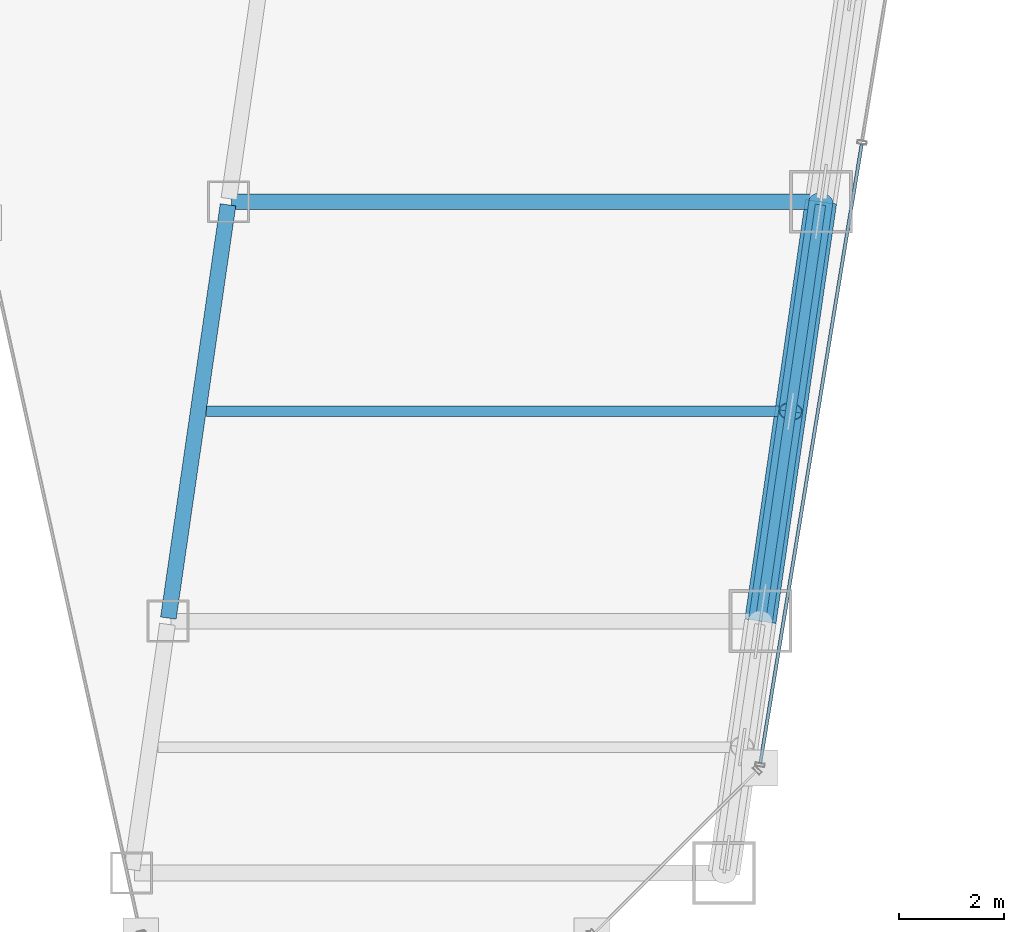
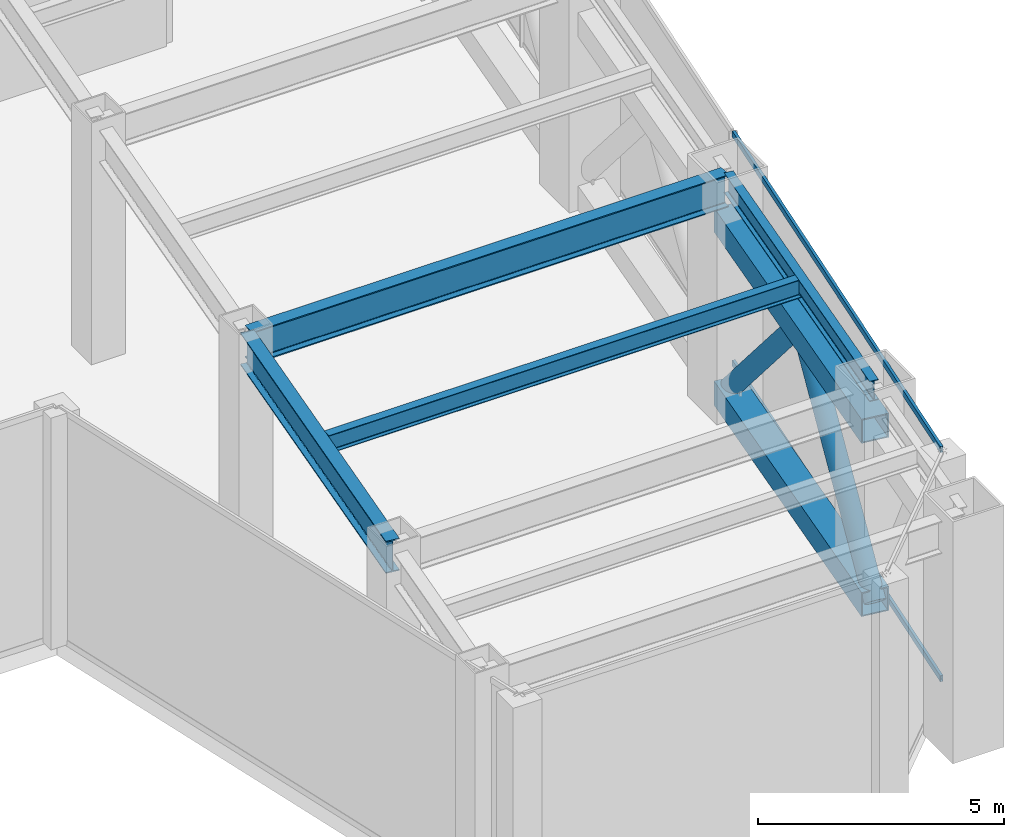
# One storey, part 14 of 35: 6 members, 4 beams, 1 element without a shape of its own.
"""IFC4 building model written with IfcOpenShell, lengths in metres."""

from ifc_helpers import new_model, si_unit, direction, frame, origin, origin_2d, place, context, subcontext, project, spatial, hollow_rectangle, hollow_circle, i_section, extrude, material, material_profile, profile_set, type_object, element, aggregate, save


model = new_model("IFC4")

# Units and contexts
model_context = context("Model", 3, precision=1e-05, world=origin(), true_north=direction((0.0, 1.0)))
body_context = subcontext(model_context, "Body", "Model", "MODEL_VIEW")
ifc_project = project(units=[si_unit("LENGTHUNIT", "METRE"), si_unit("AREAUNIT", "SQUARE_METRE"), si_unit("VOLUMEUNIT", "CUBIC_METRE"), si_unit("PLANEANGLEUNIT", "RADIAN"), si_unit("MASSUNIT", "GRAM", prefix="KILO")], contexts=[model_context])

# Site, building, storey
site_placement = place(None, origin())
site = spatial("IfcSite", under=ifc_project, at=site_placement, CompositionType="ELEMENT")
building_placement = place(site_placement, origin())
building = spatial("IfcBuilding", under=site, at=building_placement, Name="Saevonmaru Cultural Tower", CompositionType="ELEMENT")
storey_placement = place(building_placement, frame((0.0, 0.0, 86.800048828125)))
storey = spatial("IfcBuildingStorey", under=building, at=storey_placement, Name="L18", CompositionType="ELEMENT", Elevation=86.800048828125)

# Beams
ifc_material_1 = material(Name="Steel SM420", Category="steel")
ifc_material_profile_1 = material_profile(ifc_material_1, i_section(OverallWidth=0.300048828125, OverallDepth=0.800048828125, WebThickness=0.013916015625, FlangeThickness=0.02587890625, FilletRadius=0.028076171875, at=origin_2d()), Name="H-800x300x14x26")
ifc_profile_set_1 = profile_set([ifc_material_profile_1], Name="Steel SM420")
beam_type_1 = type_object("IfcBeamType", Name="BM-G-H800", PredefinedType="BEAM", material=ifc_profile_set_1)
beam_1_placement = place(storey_placement, frame((36.925537109375, 8.059326171875, 5.349853515625), z_axis=(0.142902032203, 0.989736838353, 0.0), x_axis=(-0.989736838353, 0.142902032203, 0.0)))
element("IfcBeam", 1, at=beam_1_placement, inside=storey, type_object=beam_type_1, Name="L18 East Atrium Girder 2", PredefinedType="BEAM", context=body_context, shape_type="SweptSolid", body=[
    extrude(i_section(OverallWidth=0.300048828125, OverallDepth=0.800048828125, WebThickness=0.013916015625, FlangeThickness=0.02587890625, FilletRadius=0.028076171875, at=origin_2d()), origin(), (0.0, 0.0, 1.0), 7.963134765625),
])
beam_2_placement = place(storey_placement, frame((38.132080078125, 16.0, 5.349853515625), z_axis=(1.0, 0.0, 0.0), x_axis=(0.0, 1.0, 0.0)))
element("IfcBeam", 2, at=beam_2_placement, inside=storey, type_object=beam_type_1, Name="L18 East Wing Transverse Girder 3", PredefinedType="BEAM", context=body_context, shape_type="SweptSolid", body=[
    extrude(i_section(OverallWidth=0.300048828125, OverallDepth=0.800048828125, WebThickness=0.013916015625, FlangeThickness=0.02587890625, FilletRadius=0.028076171875, at=origin_2d()), origin(), (0.0, 0.0, 1.0), 11.179931640625),
])
ifc_material_2 = material(Name="Steel SM355", Category="steel")
ifc_material_profile_2 = material_profile(ifc_material_2, i_section(OverallWidth=0.199951171875, OverallDepth=0.449951171875, WebThickness=0.009033203125, FlangeThickness=0.013916015625, FilletRadius=0.01806640625, at=origin_2d()), Name="H-450x200x9x14")
ifc_profile_set_2 = profile_set([ifc_material_profile_2], Name="Steel SM355")
beam_type_2 = type_object("IfcBeamType", Name="BM-J-H450", PredefinedType="JOIST", material=ifc_profile_set_2)
beam_3_placement = place(storey_placement, frame((37.652587890625, 12.0, 5.52490234375), z_axis=(1.0, 0.0, 0.0), x_axis=(0.0, 1.0, 0.0)))
element("IfcBeam", 3, at=beam_3_placement, inside=storey, type_object=beam_type_2, Name="L18 East Wing Floor Joist 2", PredefinedType="JOIST", context=body_context, shape_type="SweptSolid", body=[
    extrude(i_section(OverallWidth=0.199951171875, OverallDepth=0.449951171875, WebThickness=0.009033203125, FlangeThickness=0.013916015625, FilletRadius=0.01806640625, at=origin_2d()), origin(), (0.0, 0.0, 1.0), 11.08203125),
])
ifc_material_profile_3 = material_profile(ifc_material_2, i_section(OverallWidth=0.199951171875, OverallDepth=0.5, WebThickness=0.010009765625, FlangeThickness=0.01611328125, FilletRadius=0.02001953125, at=origin_2d()), Name="H-500x200x10x16")
ifc_profile_set_3 = profile_set([ifc_material_profile_3], Name="Steel SM355")
beam_type_3 = type_object("IfcBeamType", Name="BM-SP-H500", PredefinedType="SPANDREL", material=ifc_profile_set_3)
beam_4_placement = place(storey_placement, frame((48.2255859375, 8.059326171875, 5.5), z_axis=(0.142871999001, 0.989741174197, 0.0), x_axis=(-0.989741174197, 0.142871999001, 0.0)))
element("IfcBeam", 4, at=beam_4_placement, inside=storey, type_object=beam_type_3, Name="L18 East Splayed Spandrel 2", PredefinedType="SPANDREL", context=body_context, shape_type="SweptSolid", body=[
    extrude(i_section(OverallWidth=0.199951171875, OverallDepth=0.5, WebThickness=0.010009765625, FlangeThickness=0.01611328125, FilletRadius=0.02001953125, at=origin_2d()), origin(), (0.0, 0.0, 1.0), 7.963134765625),
])

# Members
ifc_material_profile_4 = material_profile(ifc_material_1, hollow_circle(Radius=0.228515625, WallThickness=0.02001953125, at=origin_2d()), Name="CHS-457.2x20")
ifc_profile_set_4 = profile_set([ifc_material_profile_4], Name="Steel SM420")
member_type_1 = type_object("IfcMemberType", Name="MB-BBR-CHS457", PredefinedType="BRACE", material=ifc_profile_set_4)
member_1_placement = place(storey_placement, frame((48.217041015625, 8.0, 0.300048828125), z_axis=(0.097764748588, 0.677857655887, 0.72866388156), x_axis=(-0.989758915483, 0.142749042803, 0.0)))
element("IfcMember", 5, at=member_1_placement, inside=storey, type_object=member_type_1, Name="L18 Belt Truss Diagonal BE2-1", PredefinedType="BRACE", context=body_context, shape_type="SweptSolid", body=[
    extrude(hollow_circle(Radius=0.228515625, WallThickness=0.02001953125, at=origin_2d()), origin(), (0.0, 0.0, 1.0), 5.90087890625),
])
member_2_placement = place(storey_placement, frame((49.3720703125, 16.0, 0.300048828125), z_axis=(-0.097969630896, -0.677843932686, 0.728649129789), x_axis=(0.989716197255, -0.143044919135, 0.0)))
element("IfcMember", 6, at=member_2_placement, inside=storey, type_object=member_type_1, Name="L18 Belt Truss Diagonal BE2-2", PredefinedType="BRACE", context=body_context, shape_type="SweptSolid", body=[
    extrude(hollow_circle(Radius=0.228515625, WallThickness=0.02001953125, at=origin_2d()), origin(), (0.0, 0.0, 1.0), 5.901123046875),
])
ifc_material_profile_5 = material_profile(ifc_material_1, hollow_rectangle(XDim=0.60009765625, YDim=0.60009765625, WallThickness=0.028076171875, at=origin_2d()), Name="BOX-600x600x28")
ifc_profile_set_5 = profile_set([ifc_material_profile_5], Name="Steel SM420")
member_type_2 = type_object("IfcMemberType", Name="MB-BCH-BOX600", PredefinedType="CHORD", material=ifc_profile_set_5)
for number, where, z_axis, x_axis, name in (
    (7, (48.217041015625, 8.0, 0.300048828125), (0.142896985758, 0.989737566965, 0.0), (-0.989737566965, 0.142896985758, 0.0), "L18 Belt Truss Bottom Chord BE2"),
    (8, (48.217041015625, 8.0, 4.599853515625), (0.142896985758, 0.989737566965, 0.0), (-0.989737566965, 0.142896985758, 0.0), "L18 Belt Truss Top Chord BE2"),
):
    element("IfcMember", number, at=place(storey_placement, frame(where, z_axis=z_axis, x_axis=x_axis)), inside=storey, type_object=member_type_2, Name=name, PredefinedType="CHORD", context=body_context, shape_type="SweptSolid", body=[
        extrude(hollow_rectangle(XDim=0.60009765625, YDim=0.60009765625, WallThickness=0.028076171875, at=origin_2d()), origin(), (0.0, 0.0, 1.0), 8.0830078125),
    ])

# Curtain wall, members
ifc_material_3 = material(Name="Satin Bronze Anodised Aluminium", Category="aluminium")
curtain_wall_type = type_object("IfcCurtainWallType", Name="CW-TYP-A", PredefinedType="NOTDEFINED", material=ifc_material_3)
curtain_wall_placement = place(storey_placement, origin())
curtain_wall = element("IfcCurtainWall", 9, at=curtain_wall_placement, inside=storey, type_object=curtain_wall_type, Name="L18 Wind-Floor Acoustic Louvre Screen E8", PredefinedType="NOTDEFINED")
ifc_material_profile_6 = material_profile(ifc_material_3, hollow_rectangle(XDim=0.06494140625, YDim=0.14990234375, WallThickness=0.00390625, at=origin_2d()), Name="ALU-TRAN-150x65x4")
ifc_profile_set_6 = profile_set([ifc_material_profile_6], Name="Satin Bronze Anodised Aluminium")
member_type_3 = type_object("IfcMemberType", Name="TR-CW-150x65", PredefinedType="USERDEFINED", material=ifc_profile_set_6)
member_3_placement = place(storey_placement, frame((48.21484375, 5.291259765625, 0.032470703125), z_axis=(0.161724530373, 0.986835941925, 0.0), x_axis=(-0.986835941925, 0.161724530373, 0.0)))
member_3 = element("IfcMember", 10, at=member_3_placement, type_object=member_type_3, Name="CW-TW-L18-E8 transom 1.1", ObjectType="TRANSOM", PredefinedType="USERDEFINED", context=body_context, shape_type="SweptSolid", body=[
    extrude(hollow_rectangle(XDim=0.06494140625, YDim=0.14990234375, WallThickness=0.00390625, at=origin_2d()), origin(), (0.0, 0.0, 1.0), 11.963623046875),
])
member_4_placement = place(storey_placement, frame((48.21484375, 5.291259765625, 5.717529296875), z_axis=(0.161724530373, 0.986835941925, 0.0), x_axis=(-0.986835941925, 0.161724530373, 0.0)))
member_4 = element("IfcMember", 11, at=member_4_placement, type_object=member_type_3, Name="CW-TW-L18-E8 transom 1.2", ObjectType="TRANSOM", PredefinedType="USERDEFINED", context=body_context, shape_type="SweptSolid", body=[
    extrude(hollow_rectangle(XDim=0.06494140625, YDim=0.14990234375, WallThickness=0.00390625, at=origin_2d()), origin(), (0.0, 0.0, 1.0), 11.963623046875),
])
aggregate(curtain_wall, [member_3, member_4])

save(model, "model.ifc")
